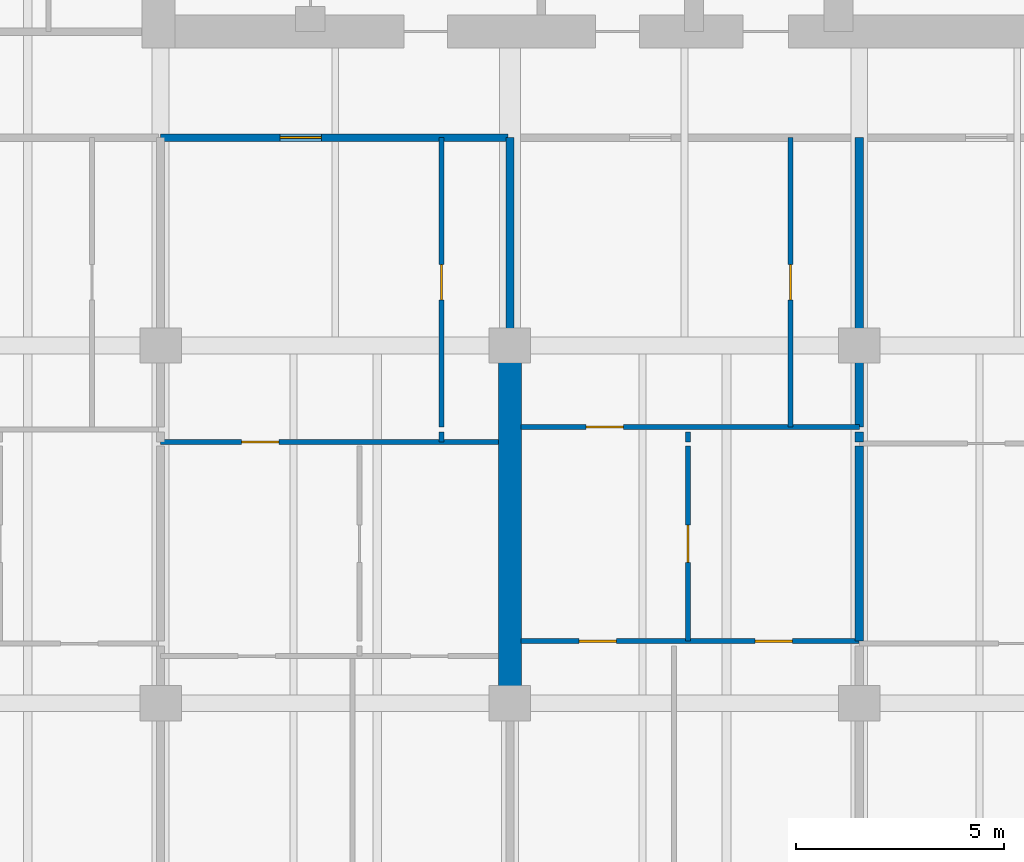
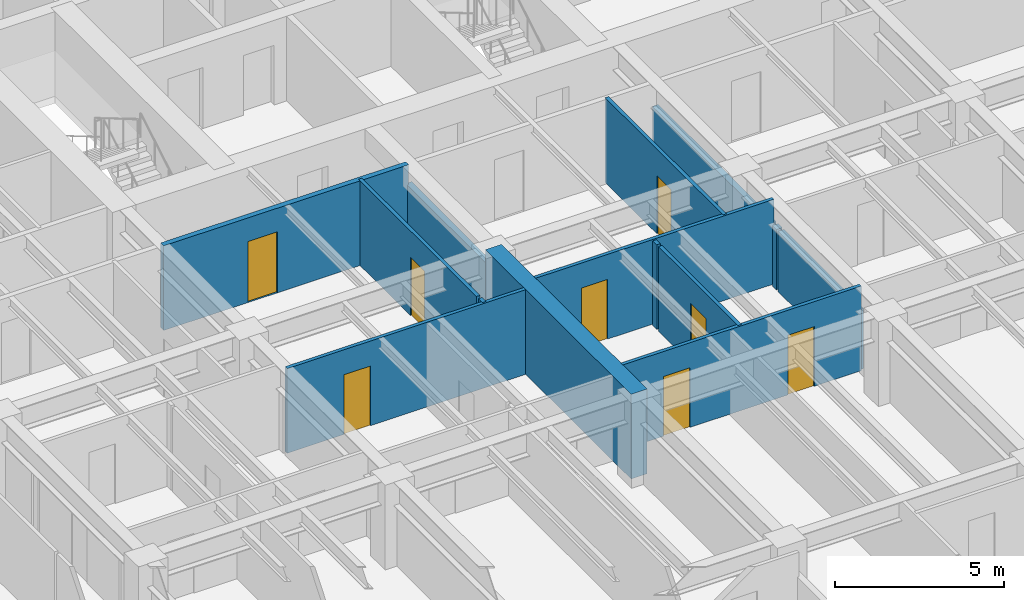
# One storey, part 7 of 17: 14 walls, 8 doors, 8 openings.
"""IFC4 building model written with IfcOpenShell, lengths in metres."""

from ifc_helpers import new_model, si_unit, direction, frame, frame_2d, origin, place, context, subcontext, project, spatial, rectangle, extrude, material, layer, layer_set, type_object, element, fill, save


model = new_model("IFC4")

# Units and contexts
model_context = context("Model", 3, precision=1e-05, world=origin(), true_north=direction((0.0, 1.0)))
body_context = subcontext(model_context, "Body", "Model", "MODEL_VIEW")
ifc_project = project(units=[si_unit("LENGTHUNIT", "METRE"), si_unit("AREAUNIT", "SQUARE_METRE"), si_unit("VOLUMEUNIT", "CUBIC_METRE"), si_unit("PLANEANGLEUNIT", "RADIAN"), si_unit("MASSUNIT", "GRAM", prefix="KILO")], contexts=[model_context])

# Site, building, storey
site_placement = place(None, origin())
site = spatial("IfcSite", under=ifc_project, at=site_placement, CompositionType="ELEMENT")
building_placement = place(site_placement, origin())
building = spatial("IfcBuilding", under=site, at=building_placement, Name="Caelmar Bay Residences", CompositionType="ELEMENT")
storey_placement = place(building_placement, frame((0.0, 0.0, 87.89990234375)))
storey = spatial("IfcBuildingStorey", under=building, at=storey_placement, Name="L23", CompositionType="ELEMENT", Elevation=87.89990234375)

# Wall
ifc_material_1 = material(Name="Concrete f'c 70 MPa (10,000 psi)", Category="concrete")
ifc_layer_1 = layer(ifc_material_1, 0.550048828125)
ifc_layer_set_1 = layer_set([ifc_layer_1], Name="Concrete f'c 70 MPa (10,000 psi)")
wall_type_1 = type_object("IfcWallType", Name="SW-XSLB-550", PredefinedType="SHEAR", material=ifc_layer_set_1)
wall_1_placement = place(storey_placement, frame((26.699951171875, 20.800048828125, 0.0), z_axis=(0.0, 0.0, 1.0), x_axis=(0.0, 1.0, 0.0)))
element("IfcWall", 1, at=wall_1_placement, inside=storey, type_object=wall_type_1, Name="L23 Transverse Cross-Slab Shear Wall W5", PredefinedType="SHEAR", context=body_context, shape_type="SweptSolid", body=[
    extrude(rectangle(XDim=8.599853515625, YDim=0.550048828125, at=frame_2d((4.2998046875, 0.0))), origin(), (0.0, 0.0, 1.0), 3.050048828125),
])

# Wall, opening, door
ifc_material_2 = material(Name="Double-stud acoustic fire-rated gypsum partition 180 mm")
ifc_layer_2 = layer(ifc_material_2, 0.179931640625)
ifc_layer_set_2 = layer_set([ifc_layer_2], Name="Double-stud acoustic fire-rated gypsum partition 180 mm")
wall_type_2 = type_object("IfcWallType", Name="W-COR-200", PredefinedType="PARTITIONING", material=ifc_layer_set_2)
wall_2_placement = place(storey_placement, frame((18.300048828125, 34.39990234375, 0.0), z_axis=(0.0, 0.0, 1.0), x_axis=(1.0, 0.0, 0.0)))
wall_2 = element("IfcWall", 2, at=wall_2_placement, inside=storey, type_object=wall_type_2, Name="L23 Partition Wall H131", PredefinedType="PARTITIONING", context=body_context, shape_type="SweptSolid", body=[
    extrude(rectangle(XDim=8.349853515625, YDim=0.179931640625, at=frame_2d((4.1748046875, 0.0))), origin(), (0.0, 0.0, 1.0), 3.050048828125),
])
opening_1_placement = place(wall_2_placement, frame((2.875, 0.0, 0.0)))
opening_1 = element("IfcOpeningElement", 3, at=opening_1_placement, cuts=wall_2, Name="Opening D-L23-131", PredefinedType="OPENING", context=body_context, shape_type="SweptSolid", body=[
    extrude(rectangle(XDim=1.0, YDim=2.199951171875, at=frame_2d((0.5, 1.10009765625))), frame((0.0, 0.099853515625, 0.0), z_axis=(0.0, -1.0, 0.0), x_axis=(1.0, 0.0, 0.0)), (0.0, 0.0, 1.0), 0.199951171875),
])
ifc_material_3 = material(Name="Fire-rated steel and walnut architectural door assembly", Category="steel")
ifc_layer_3 = layer(ifc_material_3, 0.050048828125)
ifc_layer_set_3 = layer_set([ifc_layer_3], Name="Fire-rated steel and walnut architectural door assembly")
door_type_1 = type_object("IfcDoorType", Name="D-UNIT-1000", OperationType="NOTDEFINED", PredefinedType="DOOR", material=ifc_layer_set_3)
door_1_placement = place(opening_1_placement, origin())
door_1 = element("IfcDoor", 4, at=door_1_placement, inside=storey, type_object=door_type_1, Name="L23 Residence 02 Apartment Hall Door", OperationType="SINGLE_SWING_LEFT", OverallHeight=2.199951171875, OverallWidth=1.0, PredefinedType="DOOR", context=body_context, shape_type="SweptSolid", body=[
    extrude(rectangle(XDim=1.0, YDim=2.199951171875, at=frame_2d((0.5, 1.10009765625))), frame((0.0, 0.02490234375, 0.0), z_axis=(0.0, -1.0, 0.0), x_axis=(1.0, 0.0, 0.0)), (0.0, 0.0, 1.0), 0.050048828125),
])
fill(opening_1, door_1)

# Wall
ifc_material_4 = material(Name="Acoustic metal-stud gypsum partition 120 mm")
ifc_layer_4 = layer(ifc_material_4, 0.1201171875)
ifc_layer_set_4 = layer_set([ifc_layer_4], Name="Acoustic metal-stud gypsum partition 120 mm")
wall_type_3 = type_object("IfcWallType", Name="W-PRT-120", PredefinedType="PARTITIONING", material=ifc_layer_set_4)
wall_3_placement = place(storey_placement, frame((25.050048828125, 27.080078125, 0.0), z_axis=(0.0, 0.0, 1.0), x_axis=(0.0, 1.0, 0.0)))
element("IfcWall", 5, at=wall_3_placement, inside=storey, type_object=wall_type_3, Name="L23 Partition Wall V030", PredefinedType="PARTITIONING", context=body_context, shape_type="SweptSolid", body=[
    extrude(rectangle(XDim=0.239990234375, YDim=0.1201171875, at=frame_2d((0.1201171875, 0.0))), origin(), (0.0, 0.0, 1.0), 3.050048828125),
])

# Wall, opening, door
wall_4_placement = place(storey_placement, frame((25.050048828125, 27.43994140625, 0.0), z_axis=(0.0, 0.0, 1.0), x_axis=(0.0, 1.0, 0.0)))
wall_4 = element("IfcWall", 6, at=wall_4_placement, inside=storey, type_object=wall_type_3, Name="L23 Partition Wall V031", PredefinedType="PARTITIONING", context=body_context, shape_type="SweptSolid", body=[
    extrude(rectangle(XDim=6.9599609375, YDim=0.1201171875, at=frame_2d((3.47998046875, 0.0))), origin(), (0.0, 0.0, 1.0), 3.050048828125),
])
opening_2_placement = place(wall_4_placement, frame((3.054931640625, 0.0, 0.0)))
opening_2 = element("IfcOpeningElement", 7, at=opening_2_placement, cuts=wall_4, Name="Opening D-L23-132", PredefinedType="OPENING", context=body_context, shape_type="SweptSolid", body=[
    extrude(rectangle(XDim=0.85009765625, YDim=2.10009765625, at=frame_2d((0.425048828125, 1.050048828125))), frame((0.0, 0.070068359375, 0.0), z_axis=(0.0, -1.0, 0.0), x_axis=(1.0, 0.0, 0.0)), (0.0, 0.0, 1.0), 0.14013671875),
])
ifc_material_5 = material(Name="Solid walnut timber interior door leaf and frame", Category="wood")
ifc_layer_5 = layer(ifc_material_5, 0.050048828125)
ifc_layer_set_5 = layer_set([ifc_layer_5], Name="Solid walnut timber interior door leaf and frame")
door_type_2 = type_object("IfcDoorType", Name="D-BATH-850", OperationType="NOTDEFINED", PredefinedType="DOOR", material=ifc_layer_set_5)
door_2_placement = place(opening_2_placement, origin())
door_2 = element("IfcDoor", 8, at=door_2_placement, inside=storey, type_object=door_type_2, Name="L23 Residence 02 Bathroom Door", OperationType="SINGLE_SWING_RIGHT", OverallHeight=2.10009765625, OverallWidth=0.85009765625, PredefinedType="DOOR", context=body_context, shape_type="SweptSolid", body=[
    extrude(rectangle(XDim=0.85009765625, YDim=2.10009765625, at=frame_2d((0.425048828125, 1.050048828125))), frame((0.0, 0.02490234375, 0.0), z_axis=(0.0, -1.0, 0.0), x_axis=(1.0, 0.0, 0.0)), (0.0, 0.0, 1.0), 0.050048828125),
])
fill(opening_2, door_2)

wall_5_placement = place(storey_placement, frame((30.986083984375, 22.2900390625, 0.0), z_axis=(0.0, 0.0, 1.0), x_axis=(0.0, 1.0, 0.0)))
wall_5 = element("IfcWall", 9, at=wall_5_placement, inside=storey, type_object=wall_type_3, Name="L23 Partition Wall V041", PredefinedType="PARTITIONING", context=body_context, shape_type="SweptSolid", body=[
    extrude(rectangle(XDim=4.68994140625, YDim=0.1201171875, at=frame_2d((2.344970703125, 0.0))), origin(), (0.0, 0.0, 1.0), 3.050048828125),
])
opening_3_placement = place(wall_5_placement, frame((1.89501953125, 0.0, 0.0)))
opening_3 = element("IfcOpeningElement", 10, at=opening_3_placement, cuts=wall_5, Name="Opening D-L23-141", PredefinedType="OPENING", context=body_context, shape_type="SweptSolid", body=[
    extrude(rectangle(XDim=0.89990234375, YDim=2.14990234375, at=frame_2d((0.449951171875, 1.074951171875))), frame((0.0, 0.070068359375, 0.0), z_axis=(0.0, -1.0, 0.0), x_axis=(1.0, 0.0, 0.0)), (0.0, 0.0, 1.0), 0.14013671875),
])
ifc_layer_6 = layer(ifc_material_5, 0.050048828125)
ifc_layer_set_6 = layer_set([ifc_layer_6], Name="Solid walnut timber interior door leaf and frame")
door_type_3 = type_object("IfcDoorType", Name="D-ROOM-900", OperationType="NOTDEFINED", PredefinedType="DOOR", material=ifc_layer_set_6)
door_3_placement = place(opening_3_placement, origin())
door_3 = element("IfcDoor", 11, at=door_3_placement, inside=storey, type_object=door_type_3, Name="L23 Residence 03 Study Door", OperationType="SINGLE_SWING_LEFT", OverallHeight=2.14990234375, OverallWidth=0.89990234375, PredefinedType="DOOR", context=body_context, shape_type="SweptSolid", body=[
    extrude(rectangle(XDim=0.89990234375, YDim=2.14990234375, at=frame_2d((0.449951171875, 1.074951171875))), frame((0.0, 0.02490234375, 0.0), z_axis=(0.0, -1.0, 0.0), x_axis=(1.0, 0.0, 0.0)), (0.0, 0.0, 1.0), 0.050048828125),
])
fill(opening_3, door_3)

# Wall
wall_6_placement = place(storey_placement, frame((30.986083984375, 27.080078125, 0.0), z_axis=(0.0, 0.0, 1.0), x_axis=(0.0, 1.0, 0.0)))
element("IfcWall", 12, at=wall_6_placement, inside=storey, type_object=wall_type_3, Name="L23 Partition Wall V042", PredefinedType="PARTITIONING", context=body_context, shape_type="SweptSolid", body=[
    extrude(rectangle(XDim=0.239990234375, YDim=0.1201171875, at=frame_2d((0.1201171875, 0.0))), origin(), (0.0, 0.0, 1.0), 3.050048828125),
])

# Wall, opening, door
wall_7_placement = place(storey_placement, frame((33.449951171875, 27.43994140625, 0.0), z_axis=(0.0, 0.0, 1.0), x_axis=(0.0, 1.0, 0.0)))
wall_7 = element("IfcWall", 13, at=wall_7_placement, inside=storey, type_object=wall_type_3, Name="L23 Partition Wall V044", PredefinedType="PARTITIONING", context=body_context, shape_type="SweptSolid", body=[
    extrude(rectangle(XDim=6.9599609375, YDim=0.1201171875, at=frame_2d((3.47998046875, 0.0))), origin(), (0.0, 0.0, 1.0), 3.050048828125),
])
opening_4_placement = place(wall_7_placement, frame((3.054931640625, 0.0, 0.0)))
opening_4 = element("IfcOpeningElement", 14, at=opening_4_placement, cuts=wall_7, Name="Opening D-L23-139", PredefinedType="OPENING", context=body_context, shape_type="SweptSolid", body=[
    extrude(rectangle(XDim=0.85009765625, YDim=2.10009765625, at=frame_2d((0.425048828125, 1.050048828125))), frame((0.0, 0.070068359375, 0.0), z_axis=(0.0, -1.0, 0.0), x_axis=(1.0, 0.0, 0.0)), (0.0, 0.0, 1.0), 0.14013671875),
])
door_4_placement = place(opening_4_placement, origin())
door_4 = element("IfcDoor", 15, at=door_4_placement, inside=storey, type_object=door_type_2, Name="L23 Residence 03 Bathroom Door", OperationType="SINGLE_SWING_LEFT", OverallHeight=2.10009765625, OverallWidth=0.85009765625, PredefinedType="DOOR", context=body_context, shape_type="SweptSolid", body=[
    extrude(rectangle(XDim=0.85009765625, YDim=2.10009765625, at=frame_2d((0.425048828125, 1.050048828125))), frame((0.0, 0.02490234375, 0.0), z_axis=(0.0, -1.0, 0.0), x_axis=(1.0, 0.0, 0.0)), (0.0, 0.0, 1.0), 0.050048828125),
])
fill(opening_4, door_4)

# Wall, openings, doors
wall_8_placement = place(storey_placement, frame((26.969970703125, 22.2900390625, 0.0), z_axis=(0.0, 0.0, 1.0), x_axis=(1.0, 0.0, 0.0)))
wall_8 = element("IfcWall", 16, at=wall_8_placement, inside=storey, type_object=wall_type_3, Name="L23 Partition Wall H119", PredefinedType="PARTITIONING", context=body_context, shape_type="SweptSolid", body=[
    extrude(rectangle(XDim=8.125, YDim=0.1201171875, at=frame_2d((4.0625, 0.0))), origin(), (0.0, 0.0, 1.0), 3.050048828125),
])
opening_5_placement = place(wall_8_placement, frame((1.388916015625, 0.0, 0.0)))
opening_5 = element("IfcOpeningElement", 17, at=opening_5_placement, cuts=wall_8, Name="Opening D-L23-142", PredefinedType="OPENING", context=body_context, shape_type="SweptSolid", body=[
    extrude(rectangle(XDim=0.89990234375, YDim=2.14990234375, at=frame_2d((0.449951171875, 1.074951171875))), frame((0.0, 0.070068359375, 0.0), z_axis=(0.0, -1.0, 0.0), x_axis=(1.0, 0.0, 0.0)), (0.0, 0.0, 1.0), 0.14013671875),
])
opening_6_placement = place(wall_8_placement, frame((5.62060546875, 0.0, 0.0)))
opening_6 = element("IfcOpeningElement", 18, at=opening_6_placement, cuts=wall_8, Name="Opening D-L23-143", PredefinedType="OPENING", context=body_context, shape_type="SweptSolid", body=[
    extrude(rectangle(XDim=0.89990234375, YDim=2.14990234375, at=frame_2d((0.449951171875, 1.074951171875))), frame((0.0, 0.070068359375, 0.0), z_axis=(0.0, -1.0, 0.0), x_axis=(1.0, 0.0, 0.0)), (0.0, 0.0, 1.0), 0.14013671875),
])
door_5_placement = place(opening_5_placement, origin())
door_5 = element("IfcDoor", 19, at=door_5_placement, inside=storey, type_object=door_type_3, Name="L23 Residence 03 Living Room Door", OperationType="SINGLE_SWING_RIGHT", OverallHeight=2.14990234375, OverallWidth=0.89990234375, PredefinedType="DOOR", context=body_context, shape_type="SweptSolid", body=[
    extrude(rectangle(XDim=0.89990234375, YDim=2.14990234375, at=frame_2d((0.449951171875, 1.074951171875))), frame((0.0, 0.02490234375, 0.0), z_axis=(0.0, -1.0, 0.0), x_axis=(1.0, 0.0, 0.0)), (0.0, 0.0, 1.0), 0.050048828125),
])
fill(opening_5, door_5)
door_6_placement = place(opening_6_placement, origin())
door_6 = element("IfcDoor", 20, at=door_6_placement, inside=storey, type_object=door_type_3, Name="L23 Residence 03 Penthouse Sitting Room Door", OperationType="SINGLE_SWING_LEFT", OverallHeight=2.14990234375, OverallWidth=0.89990234375, PredefinedType="DOOR", context=body_context, shape_type="SweptSolid", body=[
    extrude(rectangle(XDim=0.89990234375, YDim=2.14990234375, at=frame_2d((0.449951171875, 1.074951171875))), frame((0.0, 0.02490234375, 0.0), z_axis=(0.0, -1.0, 0.0), x_axis=(1.0, 0.0, 0.0)), (0.0, 0.0, 1.0), 0.050048828125),
])
fill(opening_6, door_6)

# Wall, opening, door
wall_9_placement = place(storey_placement, frame((18.300048828125, 27.080078125, 0.0), z_axis=(0.0, 0.0, 1.0), x_axis=(1.0, 0.0, 0.0)))
wall_9 = element("IfcWall", 21, at=wall_9_placement, inside=storey, type_object=wall_type_3, Name="L23 Partition Wall H124", PredefinedType="PARTITIONING", context=body_context, shape_type="SweptSolid", body=[
    extrude(rectangle(XDim=8.1298828125, YDim=0.1201171875, at=frame_2d((4.06494140625, 0.0))), origin(), (0.0, 0.0, 1.0), 3.050048828125),
])
opening_7_placement = place(wall_9_placement, frame((1.943115234375, 0.0, 0.0)))
opening_7 = element("IfcOpeningElement", 22, at=opening_7_placement, cuts=wall_9, Name="Opening D-L23-133", PredefinedType="OPENING", context=body_context, shape_type="SweptSolid", body=[
    extrude(rectangle(XDim=0.89990234375, YDim=2.14990234375, at=frame_2d((0.449951171875, 1.074951171875))), frame((0.0, 0.070068359375, 0.0), z_axis=(0.0, -1.0, 0.0), x_axis=(1.0, 0.0, 0.0)), (0.0, 0.0, 1.0), 0.14013671875),
])
door_7_placement = place(opening_7_placement, origin())
door_7 = element("IfcDoor", 23, at=door_7_placement, inside=storey, type_object=door_type_3, Name="L23 Residence 02 Kitchen Door", OperationType="SINGLE_SWING_LEFT", OverallHeight=2.14990234375, OverallWidth=0.89990234375, PredefinedType="DOOR", context=body_context, shape_type="SweptSolid", body=[
    extrude(rectangle(XDim=0.89990234375, YDim=2.14990234375, at=frame_2d((0.449951171875, 1.074951171875))), frame((0.0, 0.02490234375, 0.0), z_axis=(0.0, -1.0, 0.0), x_axis=(1.0, 0.0, 0.0)), (0.0, 0.0, 1.0), 0.050048828125),
])
fill(opening_7, door_7)

wall_10_placement = place(storey_placement, frame((26.969970703125, 27.43994140625, 0.0), z_axis=(0.0, 0.0, 1.0), x_axis=(1.0, 0.0, 0.0)))
wall_10 = element("IfcWall", 24, at=wall_10_placement, inside=storey, type_object=wall_type_3, Name="L23 Partition Wall H128", PredefinedType="PARTITIONING", context=body_context, shape_type="SweptSolid", body=[
    extrude(rectangle(XDim=8.130126953125, YDim=0.1201171875, at=frame_2d((4.06494140625, 0.0))), origin(), (0.0, 0.0, 1.0), 3.050048828125),
])
opening_8_placement = place(wall_10_placement, frame((1.55810546875, 0.0, 0.0)))
opening_8 = element("IfcOpeningElement", 25, at=opening_8_placement, cuts=wall_10, Name="Opening D-L23-140", PredefinedType="OPENING", context=body_context, shape_type="SweptSolid", body=[
    extrude(rectangle(XDim=0.89990234375, YDim=2.14990234375, at=frame_2d((0.449951171875, 1.074951171875))), frame((0.0, 0.070068359375, 0.0), z_axis=(0.0, -1.0, 0.0), x_axis=(1.0, 0.0, 0.0)), (0.0, 0.0, 1.0), 0.14013671875),
])
door_8_placement = place(opening_8_placement, origin())
door_8 = element("IfcDoor", 26, at=door_8_placement, inside=storey, type_object=door_type_3, Name="L23 Residence 03 Kitchen Door", OperationType="SINGLE_SWING_RIGHT", OverallHeight=2.14990234375, OverallWidth=0.89990234375, PredefinedType="DOOR", context=body_context, shape_type="SweptSolid", body=[
    extrude(rectangle(XDim=0.89990234375, YDim=2.14990234375, at=frame_2d((0.449951171875, 1.074951171875))), frame((0.0, 0.02490234375, 0.0), z_axis=(0.0, -1.0, 0.0), x_axis=(1.0, 0.0, 0.0)), (0.0, 0.0, 1.0), 0.050048828125),
])
fill(opening_8, door_8)

# Walls
ifc_material_6 = material(Name="Acoustic twin-stud fire-rated inter-tenancy partition 200 mm")
ifc_layer_7 = layer(ifc_material_6, 0.199951171875)
ifc_layer_set_7 = layer_set([ifc_layer_7], Name="Acoustic twin-stud fire-rated inter-tenancy partition 200 mm")
wall_type_4 = type_object("IfcWallType", Name="W-PTY-200", PredefinedType="PARTITIONING", material=ifc_layer_set_7)
wall_11_placement = place(storey_placement, frame((26.699951171875, 29.405029296875, 0.0), z_axis=(0.0, 0.0, 1.0), x_axis=(0.0, 1.0, 0.0)))
element("IfcWall", 27, at=wall_11_placement, inside=storey, type_object=wall_type_4, Name="L23 Partition Wall V036", PredefinedType="PARTITIONING", context=body_context, shape_type="SweptSolid", body=[
    extrude(rectangle(XDim=4.994873046875, YDim=0.199951171875, at=frame_2d((2.49755859375, 0.0))), origin(), (0.0, 0.0, 1.0), 2.335205078125),
])
wall_12_placement = place(storey_placement, frame((35.10009765625, 22.2900390625, 0.0), z_axis=(0.0, 0.0, 1.0), x_axis=(0.0, 1.0, 0.0)))
element("IfcWall", 28, at=wall_12_placement, inside=storey, type_object=wall_type_4, Name="L23 Partition Wall V047", PredefinedType="PARTITIONING", context=body_context, shape_type="SweptSolid", body=[
    extrude(rectangle(XDim=4.68994140625, YDim=0.199951171875, at=frame_2d((2.344970703125, 0.0))), origin(), (0.0, 0.0, 1.0), 2.174072265625),
])
wall_13_placement = place(storey_placement, frame((35.10009765625, 27.080078125, 0.0), z_axis=(0.0, 0.0, 1.0), x_axis=(0.0, 1.0, 0.0)))
element("IfcWall", 29, at=wall_13_placement, inside=storey, type_object=wall_type_4, Name="L23 Partition Wall V048", PredefinedType="PARTITIONING", context=body_context, shape_type="SweptSolid", body=[
    extrude(rectangle(XDim=0.239990234375, YDim=0.199951171875, at=frame_2d((0.1201171875, 0.0))), origin(), (0.0, 0.0, 1.0), 2.174072265625),
])
wall_14_placement = place(storey_placement, frame((35.10009765625, 27.43994140625, 0.0), z_axis=(0.0, 0.0, 1.0), x_axis=(0.0, 1.0, 0.0)))
element("IfcWall", 30, at=wall_14_placement, inside=storey, type_object=wall_type_4, Name="L23 Partition Wall V049", PredefinedType="PARTITIONING", context=body_context, shape_type="SweptSolid", body=[
    extrude(rectangle(XDim=6.9599609375, YDim=0.199951171875, at=frame_2d((3.47998046875, 0.0))), origin(), (0.0, 0.0, 1.0), 2.174072265625),
])

save(model, "model.ifc")
